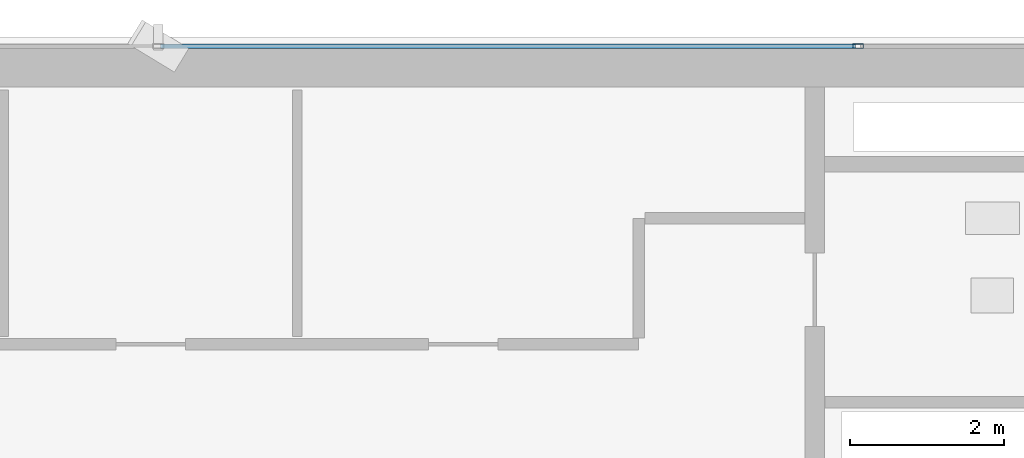
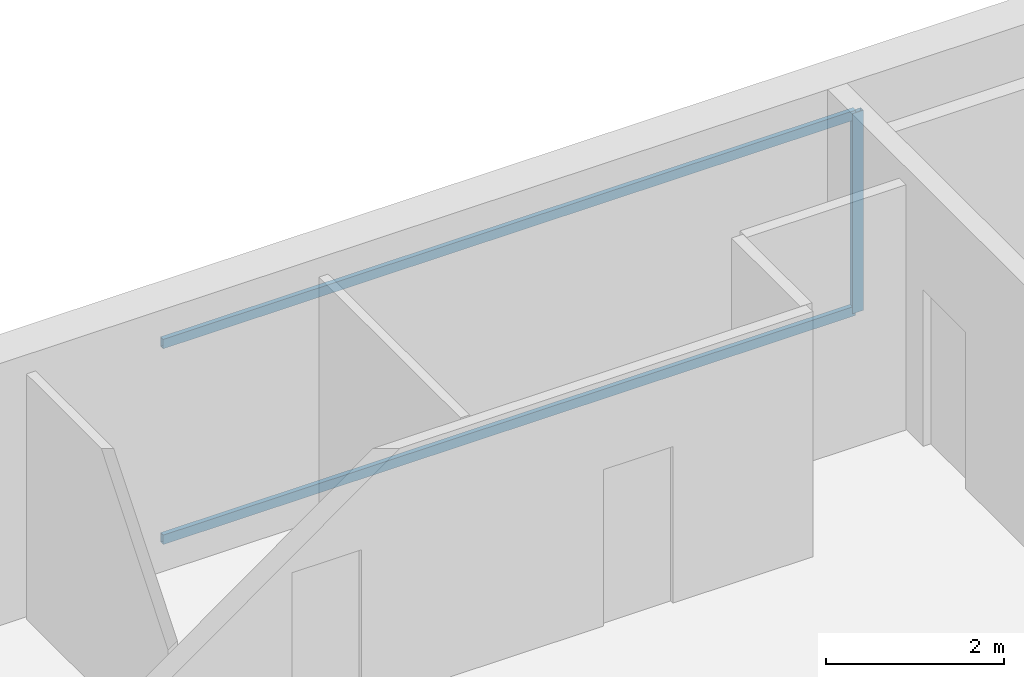
# One storey, part 17 of 25: 3 members, 1 element without a shape of its own.
"""IFC4 building model written with IfcOpenShell, lengths in metres."""

from ifc_helpers import new_model, si_unit, direction, frame, origin, origin_2d, place, context, subcontext, project, spatial, hollow_rectangle, extrude, source, transform, mapped, material, layer, layer_set, material_profile, profile_set, type_object, element, aggregate, save


model = new_model("IFC4")

# Units and contexts
model_context = context("Model", 3, precision=1e-05, world=origin(), true_north=direction((0.0, 1.0)))
body_context = subcontext(model_context, "Body", "Model", "MODEL_VIEW")
ifc_project = project(units=[si_unit("LENGTHUNIT", "METRE"), si_unit("AREAUNIT", "SQUARE_METRE"), si_unit("VOLUMEUNIT", "CUBIC_METRE"), si_unit("PLANEANGLEUNIT", "RADIAN"), si_unit("MASSUNIT", "GRAM", prefix="KILO")], contexts=[model_context])

# Site, building, storey
site_placement = place(None, origin())
site = spatial("IfcSite", under=ifc_project, at=site_placement, CompositionType="ELEMENT")
building_placement = place(site_placement, origin())
building = spatial("IfcBuilding", under=site, at=building_placement, Name="Sumidabori Civic Tower", CompositionType="ELEMENT")
storey_placement = place(building_placement, frame((0.0, 0.0, 239.60009765625)))
storey = spatial("IfcBuildingStorey", under=building, at=storey_placement, Name="L62", CompositionType="ELEMENT", Elevation=239.60009765625)

# Curtain wall, members
ifc_material = material(Name="Anodised Bronze Aluminium AW-6063-T6", Category="aluminium")
ifc_layer = layer(ifc_material, 0.179931640625, Name="Anodised Bronze Aluminium AW-6063-T6")
ifc_layer_set = layer_set([ifc_layer], Name="Anodised Bronze Aluminium AW-6063-T6")
curtain_wall_type = type_object("IfcCurtainWallType", Name="CW-SYS-5", PredefinedType="NOTDEFINED", material=ifc_layer_set)
curtain_wall_placement = place(storey_placement, origin())
curtain_wall = element("IfcCurtainWall", 1, at=curtain_wall_placement, inside=storey, type_object=curtain_wall_type, Name="Curtain Wall CW:L62:R07", PredefinedType="NOTDEFINED")
ifc_material_profile_1 = material_profile(ifc_material, hollow_rectangle(XDim=0.06005859375, YDim=0.139892578125, WallThickness=0.0048828125, at=origin_2d()), Name="ALU MULLION 140x60")
ifc_profile_set_1 = profile_set([ifc_material_profile_1], Name="Anodised Bronze Aluminium AW-6063-T6")
member_type_1 = type_object("IfcMemberType", Name="CW-MUL-140", PredefinedType="MULLION", material=ifc_profile_set_1)
shared_shape_1 = source(origin(), body_context, "Body", "SweptSolid", [
    extrude(hollow_rectangle(XDim=0.06005859375, YDim=0.139892578125, WallThickness=0.0048828125, at=origin_2d()), origin(), (0.0, 0.0, 1.0), 2.75),
])
member_1_placement = place(storey_placement, frame((9.06005859375, 24.080078125, 0.0), z_axis=(0.0, 0.0, 1.0), x_axis=(0.0, -1.0, 0.0)))
member_1 = element("IfcMember", 2, at=member_1_placement, type_object=member_type_1, Name="CW-5 mullion 2", PredefinedType="MULLION", context=body_context, shape_type="MappedRepresentation", body=[
    mapped(shared_shape_1, transform((0.0, 0.0, 0.0), x_axis=(1.0, 0.0, 0.0), y_axis=(0.0, 1.0, 0.0), z_axis=(0.0, 0.0, 1.0), scale=1.0)),
])
ifc_material_profile_2 = material_profile(ifc_material, hollow_rectangle(XDim=0.06005859375, YDim=0.1298828125, WallThickness=0.0048828125, at=origin_2d()), Name="ALU TRANSOM 130x60")
ifc_profile_set_2 = profile_set([ifc_material_profile_2], Name="Anodised Bronze Aluminium AW-6063-T6")
member_type_2 = type_object("IfcMemberType", Name="CW-TRN-130", PredefinedType="USERDEFINED", material=ifc_profile_set_2)
shared_shape_2 = source(origin(), body_context, "Body", "SweptSolid", [
    extrude(hollow_rectangle(XDim=0.06005859375, YDim=0.1298828125, WallThickness=0.0048828125, at=origin_2d()), origin(), (0.0, 0.0, 1.0), 9.0),
])
member_2_placement = place(storey_placement, frame((9.030029296875, 24.080078125, 0.02978515625), z_axis=(-1.0, 0.0, 0.0), x_axis=(0.0, -1.0, 0.0)))
member_2 = element("IfcMember", 3, at=member_2_placement, type_object=member_type_2, Name="CW-5 transom 2.1", ObjectType="TRANSOM", PredefinedType="USERDEFINED", context=body_context, shape_type="MappedRepresentation", body=[
    mapped(shared_shape_2, transform((0.0, 0.0, 0.0), x_axis=(1.0, 0.0, 0.0), y_axis=(0.0, 1.0, 0.0), z_axis=(0.0, 0.0, 1.0), scale=1.0)),
])
member_3_placement = place(storey_placement, frame((9.030029296875, 24.080078125, 2.719970703125), z_axis=(-1.0, 0.0, 0.0), x_axis=(0.0, -1.0, 0.0)))
member_3 = element("IfcMember", 4, at=member_3_placement, type_object=member_type_2, Name="CW-5 transom 2.2", ObjectType="TRANSOM", PredefinedType="USERDEFINED", context=body_context, shape_type="MappedRepresentation", body=[
    mapped(shared_shape_2, transform((0.0, 0.0, 0.0), x_axis=(1.0, 0.0, 0.0), y_axis=(0.0, 1.0, 0.0), z_axis=(0.0, 0.0, 1.0), scale=1.0)),
])
aggregate(curtain_wall, [member_1, member_2, member_3])

save(model, "model.ifc")
